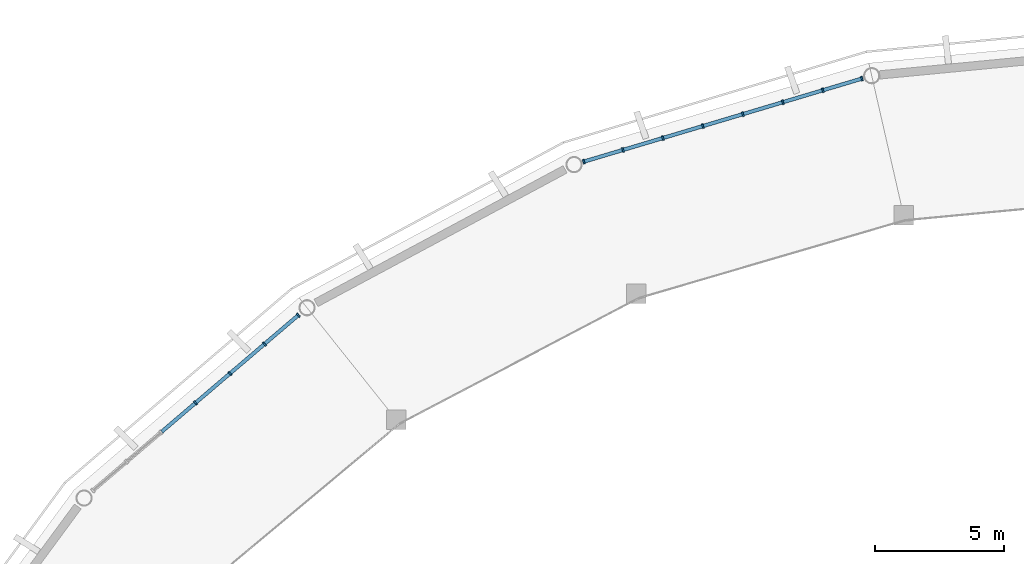
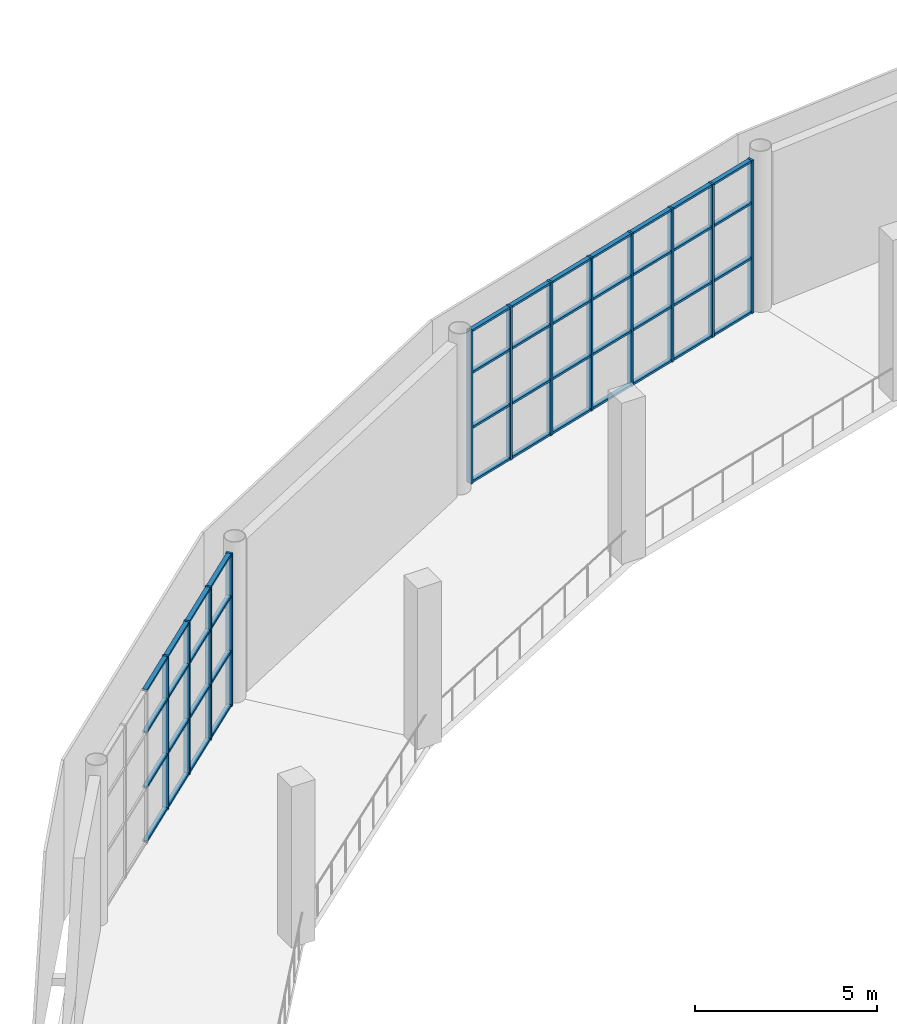
# One storey, part 17 of 40: 56 members, 2 elements without a shape of their own.
"""IFC4 building model written with IfcOpenShell, lengths in metres."""

from ifc_helpers import new_model, si_unit, direction, frame, origin, origin_2d, place, context, subcontext, project, spatial, rectangle, extrude, material, material_profile, profile_set, type_object, element, aggregate, save


model = new_model("IFC4")

# Units and contexts
model_context = context("Model", 3, precision=1e-05, world=origin(), true_north=direction((0.0, 1.0)))
body_context = subcontext(model_context, "Body", "Model", "MODEL_VIEW")
ifc_project = project(units=[si_unit("LENGTHUNIT", "METRE"), si_unit("AREAUNIT", "SQUARE_METRE"), si_unit("VOLUMEUNIT", "CUBIC_METRE"), si_unit("PLANEANGLEUNIT", "RADIAN"), si_unit("MASSUNIT", "GRAM", prefix="KILO")], contexts=[model_context])

# Site, building, storey
site_placement = place(None, origin())
site = spatial("IfcSite", under=ifc_project, at=site_placement, CompositionType="ELEMENT")
building_placement = place(site_placement, origin())
building = spatial("IfcBuilding", under=site, at=building_placement, Name="Cuetzalor Civic Arena", CompositionType="ELEMENT")
storey_placement = place(building_placement, frame((0.0, 0.0, 26.39990234375)))
storey = spatial("IfcBuildingStorey", under=building, at=storey_placement, Name="L05", CompositionType="ELEMENT", Elevation=26.39990234375)

# Curtain wall, members
ifc_material_1 = material(Name="Anodised dark bronze aluminium and low-E solar glass", Category="aluminium")
curtain_wall_type_1 = type_object("IfcCurtainWallType", Name="UnitisedCW_11300x5150", PredefinedType="USERDEFINED", material=ifc_material_1)
curtain_wall_1_placement = place(storey_placement, origin())
curtain_wall_1 = element("IfcCurtainWall", 1, at=curtain_wall_1_placement, inside=storey, type_object=curtain_wall_type_1, Name="Drum Triangle Foyer Curtain Wall L05-072", ObjectType="UNITISED CURTAIN WALL", PredefinedType="USERDEFINED")
ifc_material_2 = material(Name="Anodised dark bronze aluminium", Category="aluminium")
ifc_material_profile_1 = material_profile(ifc_material_2, rectangle(XDim=0.070068359375, YDim=0.179931640625, at=origin_2d()), Name="ALU MULLION 70x180")
ifc_profile_set_1 = profile_set([ifc_material_profile_1], Name="Anodised dark bronze aluminium")
member_type_1 = type_object("IfcMemberType", Name="CurtainWallMullion_65x180", PredefinedType="MULLION", material=ifc_profile_set_1)
member_1_placement = place(storey_placement, frame((-23.28857421875, 42.053466796875, 0.0), z_axis=(0.0, 0.0, 1.0), x_axis=(0.958193690548, 0.286120344251, 0.0)))
member_1 = element("IfcMember", 2, at=member_1_placement, type_object=member_type_1, Name="CW-21 mullion 1", PredefinedType="MULLION", context=body_context, shape_type="SweptSolid", body=[
    extrude(rectangle(XDim=0.070068359375, YDim=0.179931640625, at=origin_2d()), origin(), (0.0, 0.0, 1.0), 5.135986328125),
])
member_2_placement = place(storey_placement, frame((-21.77392578125, 42.505859375, 0.0), z_axis=(0.0, 0.0, 1.0), x_axis=(0.958193690548, 0.286120344251, 0.0)))
member_2 = element("IfcMember", 3, at=member_2_placement, type_object=member_type_1, Name="CW-21 mullion 2", PredefinedType="MULLION", context=body_context, shape_type="SweptSolid", body=[
    extrude(rectangle(XDim=0.070068359375, YDim=0.179931640625, at=origin_2d()), origin(), (0.0, 0.0, 1.0), 5.135986328125),
])
member_3_placement = place(storey_placement, frame((-20.2255859375, 42.968017578125, 0.0), z_axis=(0.0, 0.0, 1.0), x_axis=(0.958193690548, 0.286120344251, 0.0)))
member_3 = element("IfcMember", 4, at=member_3_placement, type_object=member_type_1, Name="CW-21 mullion 3", PredefinedType="MULLION", context=body_context, shape_type="SweptSolid", body=[
    extrude(rectangle(XDim=0.070068359375, YDim=0.179931640625, at=origin_2d()), origin(), (0.0, 0.0, 1.0), 5.135986328125),
])
member_4_placement = place(storey_placement, frame((-18.677490234375, 43.430419921875, 0.0), z_axis=(0.0, 0.0, 1.0), x_axis=(0.958193690548, 0.286120344251, 0.0)))
member_4 = element("IfcMember", 5, at=member_4_placement, type_object=member_type_1, Name="CW-21 mullion 4", PredefinedType="MULLION", context=body_context, shape_type="SweptSolid", body=[
    extrude(rectangle(XDim=0.070068359375, YDim=0.179931640625, at=origin_2d()), origin(), (0.0, 0.0, 1.0), 5.135986328125),
])
member_5_placement = place(storey_placement, frame((-17.12939453125, 43.892578125, 0.0), z_axis=(0.0, 0.0, 1.0), x_axis=(0.958193690548, 0.286120344251, 0.0)))
member_5 = element("IfcMember", 6, at=member_5_placement, type_object=member_type_1, Name="CW-21 mullion 5", PredefinedType="MULLION", context=body_context, shape_type="SweptSolid", body=[
    extrude(rectangle(XDim=0.070068359375, YDim=0.179931640625, at=origin_2d()), origin(), (0.0, 0.0, 1.0), 5.135986328125),
])
member_6_placement = place(storey_placement, frame((-15.581298828125, 44.35498046875, 0.0), z_axis=(0.0, 0.0, 1.0), x_axis=(0.958193690548, 0.286120344251, 0.0)))
member_6 = element("IfcMember", 7, at=member_6_placement, type_object=member_type_1, Name="CW-21 mullion 6", PredefinedType="MULLION", context=body_context, shape_type="SweptSolid", body=[
    extrude(rectangle(XDim=0.070068359375, YDim=0.179931640625, at=origin_2d()), origin(), (0.0, 0.0, 1.0), 5.135986328125),
])
member_7_placement = place(storey_placement, frame((-14.032958984375, 44.817138671875, 0.0), z_axis=(0.0, 0.0, 1.0), x_axis=(0.958193690548, 0.286120344251, 0.0)))
member_7 = element("IfcMember", 8, at=member_7_placement, type_object=member_type_1, Name="CW-21 mullion 7", PredefinedType="MULLION", context=body_context, shape_type="SweptSolid", body=[
    extrude(rectangle(XDim=0.070068359375, YDim=0.179931640625, at=origin_2d()), origin(), (0.0, 0.0, 1.0), 5.135986328125),
])
member_8_placement = place(storey_placement, frame((-12.5185546875, 45.26953125, 0.0), z_axis=(0.0, 0.0, 1.0), x_axis=(0.958193690548, 0.286120344251, 0.0)))
member_8 = element("IfcMember", 9, at=member_8_placement, type_object=member_type_1, Name="CW-21 mullion 8", PredefinedType="MULLION", context=body_context, shape_type="SweptSolid", body=[
    extrude(rectangle(XDim=0.070068359375, YDim=0.179931640625, at=origin_2d()), origin(), (0.0, 0.0, 1.0), 5.135986328125),
])

ifc_material_3 = material(Name="Anodised dark bronze aluminium and low-E solar glass", Category="aluminium")
curtain_wall_type_2 = type_object("IfcCurtainWallType", Name="UnitisedCW_10550x5150", PredefinedType="USERDEFINED", material=ifc_material_3)
curtain_wall_2_placement = place(storey_placement, origin())
curtain_wall_2 = element("IfcCurtainWall", 10, at=curtain_wall_2_placement, inside=storey, type_object=curtain_wall_type_2, Name="Drum Triangle Foyer Curtain Wall L05-073", ObjectType="UNITISED CURTAIN WALL", PredefinedType="USERDEFINED")
member_9_placement = place(storey_placement, frame((-38.330078125, 32.708984375, 0.0), z_axis=(0.0, 0.0, 1.0), x_axis=(0.760677142663, 0.64913040649, 0.0)))
member_9 = element("IfcMember", 11, at=member_9_placement, type_object=member_type_1, Name="CW-22 mullion 4", PredefinedType="MULLION", context=body_context, shape_type="SweptSolid", body=[
    extrude(rectangle(XDim=0.070068359375, YDim=0.179931640625, at=origin_2d()), origin(), (0.0, 0.0, 1.0), 5.135986328125),
])
member_10_placement = place(storey_placement, frame((-36.9951171875, 33.84814453125, 0.0), z_axis=(0.0, 0.0, 1.0), x_axis=(0.760677142663, 0.64913040649, 0.0)))
member_10 = element("IfcMember", 12, at=member_10_placement, type_object=member_type_1, Name="CW-22 mullion 5", PredefinedType="MULLION", context=body_context, shape_type="SweptSolid", body=[
    extrude(rectangle(XDim=0.070068359375, YDim=0.179931640625, at=origin_2d()), origin(), (0.0, 0.0, 1.0), 5.135986328125),
])
member_11_placement = place(storey_placement, frame((-35.659912109375, 34.987548828125, 0.0), z_axis=(0.0, 0.0, 1.0), x_axis=(0.760677142663, 0.64913040649, 0.0)))
member_11 = element("IfcMember", 13, at=member_11_placement, type_object=member_type_1, Name="CW-22 mullion 6", PredefinedType="MULLION", context=body_context, shape_type="SweptSolid", body=[
    extrude(rectangle(XDim=0.070068359375, YDim=0.179931640625, at=origin_2d()), origin(), (0.0, 0.0, 1.0), 5.135986328125),
])
member_12_placement = place(storey_placement, frame((-34.351318359375, 36.104248046875, 0.0), z_axis=(0.0, 0.0, 1.0), x_axis=(0.760677142663, 0.64913040649, 0.0)))
member_12 = element("IfcMember", 14, at=member_12_placement, type_object=member_type_1, Name="CW-22 mullion 7", PredefinedType="MULLION", context=body_context, shape_type="SweptSolid", body=[
    extrude(rectangle(XDim=0.070068359375, YDim=0.179931640625, at=origin_2d()), origin(), (0.0, 0.0, 1.0), 5.135986328125),
])

# Member
ifc_material_4 = material(Name="Anodised dark bronze aluminium", Category="aluminium")
ifc_material_profile_2 = material_profile(ifc_material_4, rectangle(XDim=0.139892578125, YDim=0.070068359375, at=origin_2d()), Name="ALU TRANSOM 70x140")
ifc_profile_set_2 = profile_set([ifc_material_profile_2], Name="Anodised dark bronze aluminium")
member_type_2 = type_object("IfcMemberType", Name="CurtainWallTransom_65x140", PredefinedType="USERDEFINED", material=ifc_profile_set_2)
member_13_placement = place(storey_placement, frame((-23.2548828125, 42.0634765625, 0.03515625), z_axis=(0.958168093169, 0.286206053804, 0.0), x_axis=(-0.286206053804, 0.958168093169, 0.0)))
member_13 = element("IfcMember", 15, at=member_13_placement, type_object=member_type_2, Name="CW-21 transom 1.1", ObjectType="TRANSOM", PredefinedType="USERDEFINED", context=body_context, shape_type="SweptSolid", body=[
    extrude(rectangle(XDim=0.139892578125, YDim=0.070068359375, at=origin_2d()), origin(), (0.0, 0.0, 1.0), 1.5107421875),
])

member_14_placement = place(storey_placement, frame((-23.2548828125, 42.0634765625, 1.84912109375), z_axis=(0.958168093169, 0.286206053804, 0.0), x_axis=(-0.286206053804, 0.958168093169, 0.0)))
member_14 = element("IfcMember", 16, at=member_14_placement, type_object=member_type_2, Name="CW-21 transom 1.2", ObjectType="TRANSOM", PredefinedType="USERDEFINED", context=body_context, shape_type="SweptSolid", body=[
    extrude(rectangle(XDim=0.139892578125, YDim=0.070068359375, at=origin_2d()), origin(), (0.0, 0.0, 1.0), 1.5107421875),
])

member_15_placement = place(storey_placement, frame((-23.2548828125, 42.0634765625, 3.697998046875), z_axis=(0.958168093169, 0.286206053804, 0.0), x_axis=(-0.286206053804, 0.958168093169, 0.0)))
member_15 = element("IfcMember", 17, at=member_15_placement, type_object=member_type_2, Name="CW-21 transom 1.3", ObjectType="TRANSOM", PredefinedType="USERDEFINED", context=body_context, shape_type="SweptSolid", body=[
    extrude(rectangle(XDim=0.139892578125, YDim=0.070068359375, at=origin_2d()), origin(), (0.0, 0.0, 1.0), 1.5107421875),
])

member_16_placement = place(storey_placement, frame((-23.2548828125, 42.0634765625, 5.10107421875), z_axis=(0.958168093169, 0.286206053804, 0.0), x_axis=(-0.286206053804, 0.958168093169, 0.0)))
member_16 = element("IfcMember", 18, at=member_16_placement, type_object=member_type_2, Name="CW-21 transom 1.4", ObjectType="TRANSOM", PredefinedType="USERDEFINED", context=body_context, shape_type="SweptSolid", body=[
    extrude(rectangle(XDim=0.139892578125, YDim=0.070068359375, at=origin_2d()), origin(), (0.0, 0.0, 1.0), 1.5107421875),
])

member_17_placement = place(storey_placement, frame((-21.740234375, 42.515869140625, 0.03515625), z_axis=(0.958208027284, 0.286072327302, 0.0), x_axis=(-0.286072327302, 0.958208027284, 0.0)))
member_17 = element("IfcMember", 19, at=member_17_placement, type_object=member_type_2, Name="CW-21 transom 2.1", ObjectType="TRANSOM", PredefinedType="USERDEFINED", context=body_context, shape_type="SweptSolid", body=[
    extrude(rectangle(XDim=0.139892578125, YDim=0.070068359375, at=origin_2d()), origin(), (0.0, 0.0, 1.0), 1.545654296875),
])

member_18_placement = place(storey_placement, frame((-21.740234375, 42.515869140625, 1.84912109375), z_axis=(0.958208027284, 0.286072327302, 0.0), x_axis=(-0.286072327302, 0.958208027284, 0.0)))
member_18 = element("IfcMember", 20, at=member_18_placement, type_object=member_type_2, Name="CW-21 transom 2.2", ObjectType="TRANSOM", PredefinedType="USERDEFINED", context=body_context, shape_type="SweptSolid", body=[
    extrude(rectangle(XDim=0.139892578125, YDim=0.070068359375, at=origin_2d()), origin(), (0.0, 0.0, 1.0), 1.545654296875),
])

member_19_placement = place(storey_placement, frame((-21.740234375, 42.515869140625, 3.697998046875), z_axis=(0.958208027284, 0.286072327302, 0.0), x_axis=(-0.286072327302, 0.958208027284, 0.0)))
member_19 = element("IfcMember", 21, at=member_19_placement, type_object=member_type_2, Name="CW-21 transom 2.3", ObjectType="TRANSOM", PredefinedType="USERDEFINED", context=body_context, shape_type="SweptSolid", body=[
    extrude(rectangle(XDim=0.139892578125, YDim=0.070068359375, at=origin_2d()), origin(), (0.0, 0.0, 1.0), 1.545654296875),
])

member_20_placement = place(storey_placement, frame((-21.740234375, 42.515869140625, 5.10107421875), z_axis=(0.958208027284, 0.286072327302, 0.0), x_axis=(-0.286072327302, 0.958208027284, 0.0)))
member_20 = element("IfcMember", 22, at=member_20_placement, type_object=member_type_2, Name="CW-21 transom 2.4", ObjectType="TRANSOM", PredefinedType="USERDEFINED", context=body_context, shape_type="SweptSolid", body=[
    extrude(rectangle(XDim=0.139892578125, YDim=0.070068359375, at=origin_2d()), origin(), (0.0, 0.0, 1.0), 1.545654296875),
])

member_21_placement = place(storey_placement, frame((-20.192138671875, 42.97802734375, 0.03515625), z_axis=(0.958164717752, 0.286217353869, 0.0), x_axis=(-0.286217353869, 0.958164717752, 0.0)))
member_21 = element("IfcMember", 23, at=member_21_placement, type_object=member_type_2, Name="CW-21 transom 3.1", ObjectType="TRANSOM", PredefinedType="USERDEFINED", context=body_context, shape_type="SweptSolid", body=[
    extrude(rectangle(XDim=0.139892578125, YDim=0.070068359375, at=origin_2d()), origin(), (0.0, 0.0, 1.0), 1.545654296875),
])

member_22_placement = place(storey_placement, frame((-20.192138671875, 42.97802734375, 1.84912109375), z_axis=(0.958164717752, 0.286217353869, 0.0), x_axis=(-0.286217353869, 0.958164717752, 0.0)))
member_22 = element("IfcMember", 24, at=member_22_placement, type_object=member_type_2, Name="CW-21 transom 3.2", ObjectType="TRANSOM", PredefinedType="USERDEFINED", context=body_context, shape_type="SweptSolid", body=[
    extrude(rectangle(XDim=0.139892578125, YDim=0.070068359375, at=origin_2d()), origin(), (0.0, 0.0, 1.0), 1.545654296875),
])

member_23_placement = place(storey_placement, frame((-20.192138671875, 42.97802734375, 3.697998046875), z_axis=(0.958164717752, 0.286217353869, 0.0), x_axis=(-0.286217353869, 0.958164717752, 0.0)))
member_23 = element("IfcMember", 25, at=member_23_placement, type_object=member_type_2, Name="CW-21 transom 3.3", ObjectType="TRANSOM", PredefinedType="USERDEFINED", context=body_context, shape_type="SweptSolid", body=[
    extrude(rectangle(XDim=0.139892578125, YDim=0.070068359375, at=origin_2d()), origin(), (0.0, 0.0, 1.0), 1.545654296875),
])

member_24_placement = place(storey_placement, frame((-20.192138671875, 42.97802734375, 5.10107421875), z_axis=(0.958164717752, 0.286217353869, 0.0), x_axis=(-0.286217353869, 0.958164717752, 0.0)))
member_24 = element("IfcMember", 26, at=member_24_placement, type_object=member_type_2, Name="CW-21 transom 3.4", ObjectType="TRANSOM", PredefinedType="USERDEFINED", context=body_context, shape_type="SweptSolid", body=[
    extrude(rectangle(XDim=0.139892578125, YDim=0.070068359375, at=origin_2d()), origin(), (0.0, 0.0, 1.0), 1.545654296875),
])

member_25_placement = place(storey_placement, frame((-18.64404296875, 43.4404296875, 0.03515625), z_axis=(0.958220951688, 0.286029033049, 0.0), x_axis=(-0.286029033049, 0.958220951688, 0.0)))
member_25 = element("IfcMember", 27, at=member_25_placement, type_object=member_type_2, Name="CW-21 transom 4.1", ObjectType="TRANSOM", PredefinedType="USERDEFINED", context=body_context, shape_type="SweptSolid", body=[
    extrude(rectangle(XDim=0.139892578125, YDim=0.070068359375, at=origin_2d()), origin(), (0.0, 0.0, 1.0), 1.5458984375),
])

member_26_placement = place(storey_placement, frame((-18.64404296875, 43.4404296875, 1.84912109375), z_axis=(0.958220951688, 0.286029033049, 0.0), x_axis=(-0.286029033049, 0.958220951688, 0.0)))
member_26 = element("IfcMember", 28, at=member_26_placement, type_object=member_type_2, Name="CW-21 transom 4.2", ObjectType="TRANSOM", PredefinedType="USERDEFINED", context=body_context, shape_type="SweptSolid", body=[
    extrude(rectangle(XDim=0.139892578125, YDim=0.070068359375, at=origin_2d()), origin(), (0.0, 0.0, 1.0), 1.5458984375),
])

member_27_placement = place(storey_placement, frame((-18.64404296875, 43.4404296875, 3.697998046875), z_axis=(0.958220951688, 0.286029033049, 0.0), x_axis=(-0.286029033049, 0.958220951688, 0.0)))
member_27 = element("IfcMember", 29, at=member_27_placement, type_object=member_type_2, Name="CW-21 transom 4.3", ObjectType="TRANSOM", PredefinedType="USERDEFINED", context=body_context, shape_type="SweptSolid", body=[
    extrude(rectangle(XDim=0.139892578125, YDim=0.070068359375, at=origin_2d()), origin(), (0.0, 0.0, 1.0), 1.5458984375),
])

member_28_placement = place(storey_placement, frame((-18.64404296875, 43.4404296875, 5.10107421875), z_axis=(0.958220951688, 0.286029033049, 0.0), x_axis=(-0.286029033049, 0.958220951688, 0.0)))
member_28 = element("IfcMember", 30, at=member_28_placement, type_object=member_type_2, Name="CW-21 transom 4.4", ObjectType="TRANSOM", PredefinedType="USERDEFINED", context=body_context, shape_type="SweptSolid", body=[
    extrude(rectangle(XDim=0.139892578125, YDim=0.070068359375, at=origin_2d()), origin(), (0.0, 0.0, 1.0), 1.5458984375),
])

member_29_placement = place(storey_placement, frame((-17.095947265625, 43.902587890625, 0.03515625), z_axis=(0.958177654678, 0.286174041582, 0.0), x_axis=(-0.286174041582, 0.958177654678, 0.0)))
member_29 = element("IfcMember", 31, at=member_29_placement, type_object=member_type_2, Name="CW-21 transom 5.1", ObjectType="TRANSOM", PredefinedType="USERDEFINED", context=body_context, shape_type="SweptSolid", body=[
    extrude(rectangle(XDim=0.139892578125, YDim=0.070068359375, at=origin_2d()), origin(), (0.0, 0.0, 1.0), 1.5458984375),
])

member_30_placement = place(storey_placement, frame((-17.095947265625, 43.902587890625, 1.84912109375), z_axis=(0.958177654678, 0.286174041582, 0.0), x_axis=(-0.286174041582, 0.958177654678, 0.0)))
member_30 = element("IfcMember", 32, at=member_30_placement, type_object=member_type_2, Name="CW-21 transom 5.2", ObjectType="TRANSOM", PredefinedType="USERDEFINED", context=body_context, shape_type="SweptSolid", body=[
    extrude(rectangle(XDim=0.139892578125, YDim=0.070068359375, at=origin_2d()), origin(), (0.0, 0.0, 1.0), 1.5458984375),
])

member_31_placement = place(storey_placement, frame((-17.095947265625, 43.902587890625, 3.697998046875), z_axis=(0.958177654678, 0.286174041582, 0.0), x_axis=(-0.286174041582, 0.958177654678, 0.0)))
member_31 = element("IfcMember", 33, at=member_31_placement, type_object=member_type_2, Name="CW-21 transom 5.3", ObjectType="TRANSOM", PredefinedType="USERDEFINED", context=body_context, shape_type="SweptSolid", body=[
    extrude(rectangle(XDim=0.139892578125, YDim=0.070068359375, at=origin_2d()), origin(), (0.0, 0.0, 1.0), 1.5458984375),
])

member_32_placement = place(storey_placement, frame((-17.095947265625, 43.902587890625, 5.10107421875), z_axis=(0.958177654678, 0.286174041582, 0.0), x_axis=(-0.286174041582, 0.958177654678, 0.0)))
member_32 = element("IfcMember", 34, at=member_32_placement, type_object=member_type_2, Name="CW-21 transom 5.4", ObjectType="TRANSOM", PredefinedType="USERDEFINED", context=body_context, shape_type="SweptSolid", body=[
    extrude(rectangle(XDim=0.139892578125, YDim=0.070068359375, at=origin_2d()), origin(), (0.0, 0.0, 1.0), 1.5458984375),
])

member_33_placement = place(storey_placement, frame((-15.547607421875, 44.364990234375, 0.03515625), z_axis=(0.958208027284, 0.286072327302, 0.0), x_axis=(-0.286072327302, 0.958208027284, 0.0)))
member_33 = element("IfcMember", 35, at=member_33_placement, type_object=member_type_2, Name="CW-21 transom 6.1", ObjectType="TRANSOM", PredefinedType="USERDEFINED", context=body_context, shape_type="SweptSolid", body=[
    extrude(rectangle(XDim=0.139892578125, YDim=0.070068359375, at=origin_2d()), origin(), (0.0, 0.0, 1.0), 1.545654296875),
])

member_34_placement = place(storey_placement, frame((-15.547607421875, 44.364990234375, 1.84912109375), z_axis=(0.958208027284, 0.286072327302, 0.0), x_axis=(-0.286072327302, 0.958208027284, 0.0)))
member_34 = element("IfcMember", 36, at=member_34_placement, type_object=member_type_2, Name="CW-21 transom 6.2", ObjectType="TRANSOM", PredefinedType="USERDEFINED", context=body_context, shape_type="SweptSolid", body=[
    extrude(rectangle(XDim=0.139892578125, YDim=0.070068359375, at=origin_2d()), origin(), (0.0, 0.0, 1.0), 1.545654296875),
])

member_35_placement = place(storey_placement, frame((-15.547607421875, 44.364990234375, 3.697998046875), z_axis=(0.958208027284, 0.286072327302, 0.0), x_axis=(-0.286072327302, 0.958208027284, 0.0)))
member_35 = element("IfcMember", 37, at=member_35_placement, type_object=member_type_2, Name="CW-21 transom 6.3", ObjectType="TRANSOM", PredefinedType="USERDEFINED", context=body_context, shape_type="SweptSolid", body=[
    extrude(rectangle(XDim=0.139892578125, YDim=0.070068359375, at=origin_2d()), origin(), (0.0, 0.0, 1.0), 1.545654296875),
])

member_36_placement = place(storey_placement, frame((-15.547607421875, 44.364990234375, 5.10107421875), z_axis=(0.958208027284, 0.286072327302, 0.0), x_axis=(-0.286072327302, 0.958208027284, 0.0)))
member_36 = element("IfcMember", 38, at=member_36_placement, type_object=member_type_2, Name="CW-21 transom 6.4", ObjectType="TRANSOM", PredefinedType="USERDEFINED", context=body_context, shape_type="SweptSolid", body=[
    extrude(rectangle(XDim=0.139892578125, YDim=0.070068359375, at=origin_2d()), origin(), (0.0, 0.0, 1.0), 1.545654296875),
])

member_37_placement = place(storey_placement, frame((-13.99951171875, 44.8271484375, 0.03515625), z_axis=(0.958168093169, 0.286206053804, 0.0), x_axis=(-0.286206053804, 0.958168093169, 0.0)))
member_37 = element("IfcMember", 39, at=member_37_placement, type_object=member_type_2, Name="CW-21 transom 7.1", ObjectType="TRANSOM", PredefinedType="USERDEFINED", context=body_context, shape_type="SweptSolid", body=[
    extrude(rectangle(XDim=0.139892578125, YDim=0.070068359375, at=origin_2d()), origin(), (0.0, 0.0, 1.0), 1.5107421875),
])

member_38_placement = place(storey_placement, frame((-13.99951171875, 44.8271484375, 1.84912109375), z_axis=(0.958168093169, 0.286206053804, 0.0), x_axis=(-0.286206053804, 0.958168093169, 0.0)))
member_38 = element("IfcMember", 40, at=member_38_placement, type_object=member_type_2, Name="CW-21 transom 7.2", ObjectType="TRANSOM", PredefinedType="USERDEFINED", context=body_context, shape_type="SweptSolid", body=[
    extrude(rectangle(XDim=0.139892578125, YDim=0.070068359375, at=origin_2d()), origin(), (0.0, 0.0, 1.0), 1.5107421875),
])

member_39_placement = place(storey_placement, frame((-13.99951171875, 44.8271484375, 3.697998046875), z_axis=(0.958168093169, 0.286206053804, 0.0), x_axis=(-0.286206053804, 0.958168093169, 0.0)))
member_39 = element("IfcMember", 41, at=member_39_placement, type_object=member_type_2, Name="CW-21 transom 7.3", ObjectType="TRANSOM", PredefinedType="USERDEFINED", context=body_context, shape_type="SweptSolid", body=[
    extrude(rectangle(XDim=0.139892578125, YDim=0.070068359375, at=origin_2d()), origin(), (0.0, 0.0, 1.0), 1.5107421875),
])

member_40_placement = place(storey_placement, frame((-13.99951171875, 44.8271484375, 5.10107421875), z_axis=(0.958168093169, 0.286206053804, 0.0), x_axis=(-0.286206053804, 0.958168093169, 0.0)))
member_40 = element("IfcMember", 42, at=member_40_placement, type_object=member_type_2, Name="CW-21 transom 7.4", ObjectType="TRANSOM", PredefinedType="USERDEFINED", context=body_context, shape_type="SweptSolid", body=[
    extrude(rectangle(XDim=0.139892578125, YDim=0.070068359375, at=origin_2d()), origin(), (0.0, 0.0, 1.0), 1.5107421875),
])

aggregate(curtain_wall_1, [member_1, member_2, member_3, member_4, member_5, member_6, member_7, member_8, member_13, member_14, member_15, member_16, member_17, member_18, member_19, member_20, member_21, member_22, member_23, member_24, member_25, member_26, member_27, member_28, member_29, member_30, member_31, member_32, member_33, member_34, member_35, member_36, member_37, member_38, member_39, member_40])

member_41_placement = place(storey_placement, frame((-39.638671875, 31.59228515625, 0.03515625), z_axis=(0.760676154185, 0.649131564826, 0.0), x_axis=(-0.649131564826, 0.760676154185, 0.0)))
member_41 = element("IfcMember", 43, at=member_41_placement, type_object=member_type_2, Name="CW-22 transom 3.1", ObjectType="TRANSOM", PredefinedType="USERDEFINED", context=body_context, shape_type="SweptSolid", body=[
    extrude(rectangle(XDim=0.139892578125, YDim=0.070068359375, at=origin_2d()), origin(), (0.0, 0.0, 1.0), 1.685302734375),
])

member_42_placement = place(storey_placement, frame((-39.638671875, 31.59228515625, 1.84912109375), z_axis=(0.760676154185, 0.649131564826, 0.0), x_axis=(-0.649131564826, 0.760676154185, 0.0)))
member_42 = element("IfcMember", 44, at=member_42_placement, type_object=member_type_2, Name="CW-22 transom 3.2", ObjectType="TRANSOM", PredefinedType="USERDEFINED", context=body_context, shape_type="SweptSolid", body=[
    extrude(rectangle(XDim=0.139892578125, YDim=0.070068359375, at=origin_2d()), origin(), (0.0, 0.0, 1.0), 1.685302734375),
])

member_43_placement = place(storey_placement, frame((-39.638671875, 31.59228515625, 3.697998046875), z_axis=(0.760676154185, 0.649131564826, 0.0), x_axis=(-0.649131564826, 0.760676154185, 0.0)))
member_43 = element("IfcMember", 45, at=member_43_placement, type_object=member_type_2, Name="CW-22 transom 3.3", ObjectType="TRANSOM", PredefinedType="USERDEFINED", context=body_context, shape_type="SweptSolid", body=[
    extrude(rectangle(XDim=0.139892578125, YDim=0.070068359375, at=origin_2d()), origin(), (0.0, 0.0, 1.0), 1.685302734375),
])

member_44_placement = place(storey_placement, frame((-39.638671875, 31.59228515625, 5.10107421875), z_axis=(0.760676154185, 0.649131564826, 0.0), x_axis=(-0.649131564826, 0.760676154185, 0.0)))
member_44 = element("IfcMember", 46, at=member_44_placement, type_object=member_type_2, Name="CW-22 transom 3.4", ObjectType="TRANSOM", PredefinedType="USERDEFINED", context=body_context, shape_type="SweptSolid", body=[
    extrude(rectangle(XDim=0.139892578125, YDim=0.070068359375, at=origin_2d()), origin(), (0.0, 0.0, 1.0), 1.685302734375),
])

member_45_placement = place(storey_placement, frame((-38.303466796875, 32.731689453125, 0.03515625), z_axis=(0.760686645348, 0.649119270697, 0.0), x_axis=(-0.649119270697, 0.760686645348, 0.0)))
member_45 = element("IfcMember", 47, at=member_45_placement, type_object=member_type_2, Name="CW-22 transom 4.1", ObjectType="TRANSOM", PredefinedType="USERDEFINED", context=body_context, shape_type="SweptSolid", body=[
    extrude(rectangle(XDim=0.139892578125, YDim=0.070068359375, at=origin_2d()), origin(), (0.0, 0.0, 1.0), 1.68505859375),
])

member_46_placement = place(storey_placement, frame((-38.303466796875, 32.731689453125, 1.84912109375), z_axis=(0.760686645348, 0.649119270697, 0.0), x_axis=(-0.649119270697, 0.760686645348, 0.0)))
member_46 = element("IfcMember", 48, at=member_46_placement, type_object=member_type_2, Name="CW-22 transom 4.2", ObjectType="TRANSOM", PredefinedType="USERDEFINED", context=body_context, shape_type="SweptSolid", body=[
    extrude(rectangle(XDim=0.139892578125, YDim=0.070068359375, at=origin_2d()), origin(), (0.0, 0.0, 1.0), 1.68505859375),
])

member_47_placement = place(storey_placement, frame((-38.303466796875, 32.731689453125, 3.697998046875), z_axis=(0.760686645348, 0.649119270697, 0.0), x_axis=(-0.649119270697, 0.760686645348, 0.0)))
member_47 = element("IfcMember", 49, at=member_47_placement, type_object=member_type_2, Name="CW-22 transom 4.3", ObjectType="TRANSOM", PredefinedType="USERDEFINED", context=body_context, shape_type="SweptSolid", body=[
    extrude(rectangle(XDim=0.139892578125, YDim=0.070068359375, at=origin_2d()), origin(), (0.0, 0.0, 1.0), 1.68505859375),
])

member_48_placement = place(storey_placement, frame((-38.303466796875, 32.731689453125, 5.10107421875), z_axis=(0.760686645348, 0.649119270697, 0.0), x_axis=(-0.649119270697, 0.760686645348, 0.0)))
member_48 = element("IfcMember", 50, at=member_48_placement, type_object=member_type_2, Name="CW-22 transom 4.4", ObjectType="TRANSOM", PredefinedType="USERDEFINED", context=body_context, shape_type="SweptSolid", body=[
    extrude(rectangle(XDim=0.139892578125, YDim=0.070068359375, at=origin_2d()), origin(), (0.0, 0.0, 1.0), 1.68505859375),
])

member_49_placement = place(storey_placement, frame((-36.968505859375, 33.870849609375, 0.03515625), z_axis=(0.760676154185, 0.649131564826, 0.0), x_axis=(-0.649131564826, 0.760676154185, 0.0)))
member_49 = element("IfcMember", 51, at=member_49_placement, type_object=member_type_2, Name="CW-22 transom 5.1", ObjectType="TRANSOM", PredefinedType="USERDEFINED", context=body_context, shape_type="SweptSolid", body=[
    extrude(rectangle(XDim=0.139892578125, YDim=0.070068359375, at=origin_2d()), origin(), (0.0, 0.0, 1.0), 1.685302734375),
])

member_50_placement = place(storey_placement, frame((-36.968505859375, 33.870849609375, 1.84912109375), z_axis=(0.760676154185, 0.649131564826, 0.0), x_axis=(-0.649131564826, 0.760676154185, 0.0)))
member_50 = element("IfcMember", 52, at=member_50_placement, type_object=member_type_2, Name="CW-22 transom 5.2", ObjectType="TRANSOM", PredefinedType="USERDEFINED", context=body_context, shape_type="SweptSolid", body=[
    extrude(rectangle(XDim=0.139892578125, YDim=0.070068359375, at=origin_2d()), origin(), (0.0, 0.0, 1.0), 1.685302734375),
])

member_51_placement = place(storey_placement, frame((-36.968505859375, 33.870849609375, 3.697998046875), z_axis=(0.760676154185, 0.649131564826, 0.0), x_axis=(-0.649131564826, 0.760676154185, 0.0)))
member_51 = element("IfcMember", 53, at=member_51_placement, type_object=member_type_2, Name="CW-22 transom 5.3", ObjectType="TRANSOM", PredefinedType="USERDEFINED", context=body_context, shape_type="SweptSolid", body=[
    extrude(rectangle(XDim=0.139892578125, YDim=0.070068359375, at=origin_2d()), origin(), (0.0, 0.0, 1.0), 1.685302734375),
])

member_52_placement = place(storey_placement, frame((-36.968505859375, 33.870849609375, 5.10107421875), z_axis=(0.760676154185, 0.649131564826, 0.0), x_axis=(-0.649131564826, 0.760676154185, 0.0)))
member_52 = element("IfcMember", 54, at=member_52_placement, type_object=member_type_2, Name="CW-22 transom 5.4", ObjectType="TRANSOM", PredefinedType="USERDEFINED", context=body_context, shape_type="SweptSolid", body=[
    extrude(rectangle(XDim=0.139892578125, YDim=0.070068359375, at=origin_2d()), origin(), (0.0, 0.0, 1.0), 1.685302734375),
])

member_53_placement = place(storey_placement, frame((-35.63330078125, 35.01025390625, 0.03515625), z_axis=(0.76067495784, 0.649132966745, 0.0), x_axis=(-0.649132966745, 0.76067495784, 0.0)))
member_53 = element("IfcMember", 55, at=member_53_placement, type_object=member_type_2, Name="CW-22 transom 6.1", ObjectType="TRANSOM", PredefinedType="USERDEFINED", context=body_context, shape_type="SweptSolid", body=[
    extrude(rectangle(XDim=0.139892578125, YDim=0.070068359375, at=origin_2d()), origin(), (0.0, 0.0, 1.0), 1.650390625),
])

member_54_placement = place(storey_placement, frame((-35.63330078125, 35.01025390625, 1.84912109375), z_axis=(0.76067495784, 0.649132966745, 0.0), x_axis=(-0.649132966745, 0.76067495784, 0.0)))
member_54 = element("IfcMember", 56, at=member_54_placement, type_object=member_type_2, Name="CW-22 transom 6.2", ObjectType="TRANSOM", PredefinedType="USERDEFINED", context=body_context, shape_type="SweptSolid", body=[
    extrude(rectangle(XDim=0.139892578125, YDim=0.070068359375, at=origin_2d()), origin(), (0.0, 0.0, 1.0), 1.650390625),
])

member_55_placement = place(storey_placement, frame((-35.63330078125, 35.01025390625, 3.697998046875), z_axis=(0.76067495784, 0.649132966745, 0.0), x_axis=(-0.649132966745, 0.76067495784, 0.0)))
member_55 = element("IfcMember", 57, at=member_55_placement, type_object=member_type_2, Name="CW-22 transom 6.3", ObjectType="TRANSOM", PredefinedType="USERDEFINED", context=body_context, shape_type="SweptSolid", body=[
    extrude(rectangle(XDim=0.139892578125, YDim=0.070068359375, at=origin_2d()), origin(), (0.0, 0.0, 1.0), 1.650390625),
])

member_56_placement = place(storey_placement, frame((-35.63330078125, 35.01025390625, 5.10107421875), z_axis=(0.76067495784, 0.649132966745, 0.0), x_axis=(-0.649132966745, 0.76067495784, 0.0)))
member_56 = element("IfcMember", 58, at=member_56_placement, type_object=member_type_2, Name="CW-22 transom 6.4", ObjectType="TRANSOM", PredefinedType="USERDEFINED", context=body_context, shape_type="SweptSolid", body=[
    extrude(rectangle(XDim=0.139892578125, YDim=0.070068359375, at=origin_2d()), origin(), (0.0, 0.0, 1.0), 1.650390625),
])

aggregate(curtain_wall_2, [member_9, member_10, member_11, member_12, member_41, member_42, member_43, member_44, member_45, member_46, member_47, member_48, member_49, member_50, member_51, member_52, member_53, member_54, member_55, member_56])

save(model, "model.ifc")
